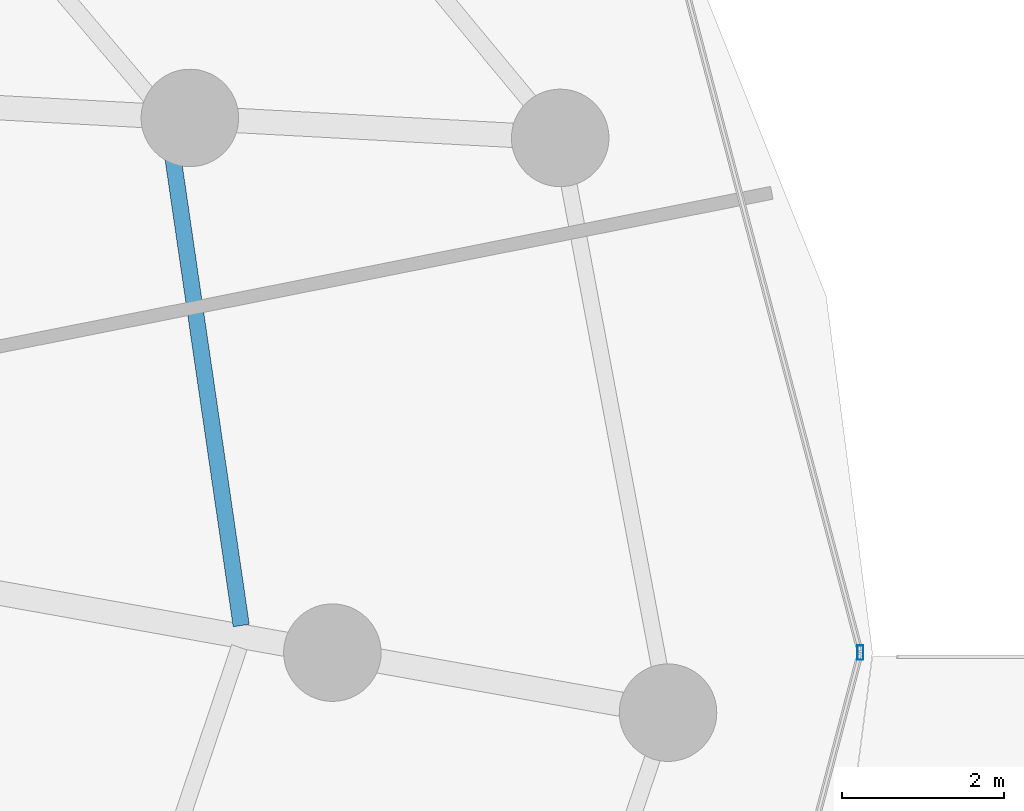
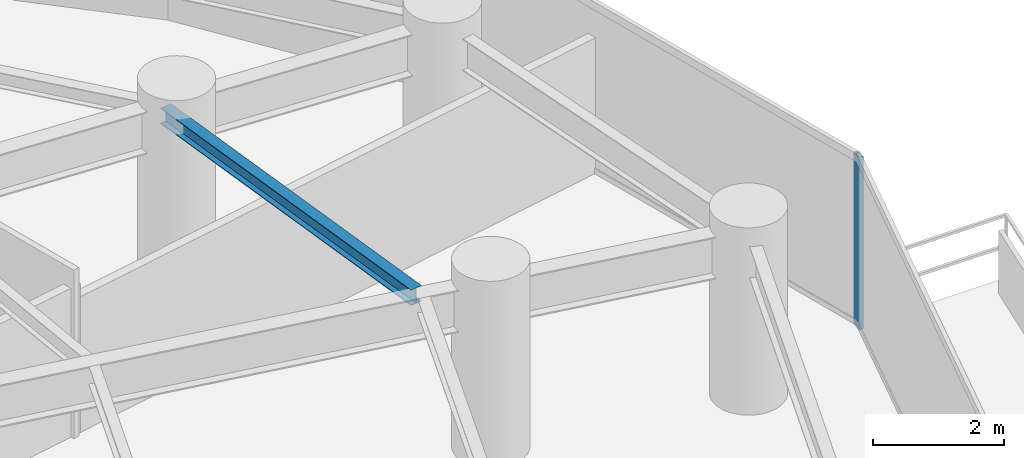
# One storey, part 16 of 34: 1 beam, 1 member, 1 element without a shape of its own.
"""IFC4 building model written with IfcOpenShell, lengths in metres."""

from ifc_helpers import new_model, si_unit, direction, frame, origin, origin_2d, place, context, subcontext, project, spatial, hollow_rectangle, i_section, extrude, material, material_profile, profile_set, type_object, element, aggregate, save


model = new_model("IFC4")

# Units and contexts
model_context = context("Model", 3, precision=1e-05, world=origin(), true_north=direction((0.0, 1.0)))
body_context = subcontext(model_context, "Body", "Model", "MODEL_VIEW")
ifc_project = project(units=[si_unit("LENGTHUNIT", "METRE"), si_unit("AREAUNIT", "SQUARE_METRE"), si_unit("VOLUMEUNIT", "CUBIC_METRE"), si_unit("PLANEANGLEUNIT", "RADIAN"), si_unit("MASSUNIT", "GRAM", prefix="KILO")], contexts=[model_context])

# Site, building, storey
site_placement = place(None, origin())
site = spatial("IfcSite", under=ifc_project, at=site_placement, CompositionType="ELEMENT")
building_placement = place(site_placement, origin())
building = spatial("IfcBuilding", under=site, at=building_placement, Name="Vorneva Point Tower", CompositionType="ELEMENT")
storey_placement = place(building_placement, frame((0.0, 0.0, 66.0)))
storey = spatial("IfcBuildingStorey", under=building, at=storey_placement, Name="L17", CompositionType="ELEMENT", Elevation=66.0)

# Beam
ifc_material_1 = material(Name="Steel S355", Category="steel")
ifc_material_profile_1 = material_profile(ifc_material_1, i_section(OverallWidth=0.199951171875, OverallDepth=0.291015625, WebThickness=0.008056640625, FlangeThickness=0.010986328125, at=origin_2d()), Name="30Sh1")
ifc_profile_set_1 = profile_set([ifc_material_profile_1], Name="Steel S355")
beam_type = type_object("IfcBeamType", Name="BM-SEC-30Sh1", PredefinedType="BEAM", material=ifc_profile_set_1)
beam_placement = place(storey_placement, frame((59.927734375, 26.333740234375, 3.00439453125), z_axis=(-0.144351936224, 0.989526411223, 0.0), x_axis=(-0.989526411223, -0.144351936224, 0.0)))
element("IfcBeam", 1, at=beam_placement, inside=storey, type_object=beam_type, Name="L17 Secondary Floor Beam 1.01", PredefinedType="BEAM", context=body_context, shape_type="SweptSolid", body=[
    extrude(i_section(OverallWidth=0.199951171875, OverallDepth=0.291015625, WebThickness=0.008056640625, FlangeThickness=0.010986328125, at=origin_2d()), origin(), (0.0, 0.0, 1.0), 6.19189453125),
])

# Curtain wall, member
ifc_material_2 = material(Name="Pale anodised aluminium", Category="aluminium")
curtain_wall_type = type_object("IfcCurtainWallType", Name="CW-HTL-SYS", PredefinedType="NOTDEFINED", material=ifc_material_2)
curtain_wall_placement = place(storey_placement, origin())
curtain_wall = element("IfcCurtainWall", 2, at=curtain_wall_placement, inside=storey, type_object=curtain_wall_type, Name="L17 Unitised Curtain Wall CW-L17-R01", PredefinedType="NOTDEFINED")
ifc_material_profile_2 = material_profile(ifc_material_2, hollow_rectangle(XDim=0.074951171875, YDim=0.179931640625, WallThickness=0.00390625, at=origin_2d()), Name="AL-MUL 180x75x4")
ifc_profile_set_2 = profile_set([ifc_material_profile_2], Name="Pale anodised aluminium")
member_type = type_object("IfcMemberType", Name="CW-MUL-180", PredefinedType="MULLION", material=ifc_profile_set_2)
member_placement = place(storey_placement, frame((67.550048828125, 26.0, -0.0400390625), z_axis=(0.0, 0.0, 1.0), x_axis=(1.0, 0.0, 0.0)))
member = element("IfcMember", 3, at=member_placement, type_object=member_type, Name="CW-L17-R01 Mullion 03", PredefinedType="MULLION", context=body_context, shape_type="SweptSolid", body=[
    extrude(hollow_rectangle(XDim=0.074951171875, YDim=0.179931640625, WallThickness=0.00390625, at=origin_2d()), origin(), (0.0, 0.0, 1.0), 3.219970703125),
])
aggregate(curtain_wall, [member])

save(model, "model.ifc")
